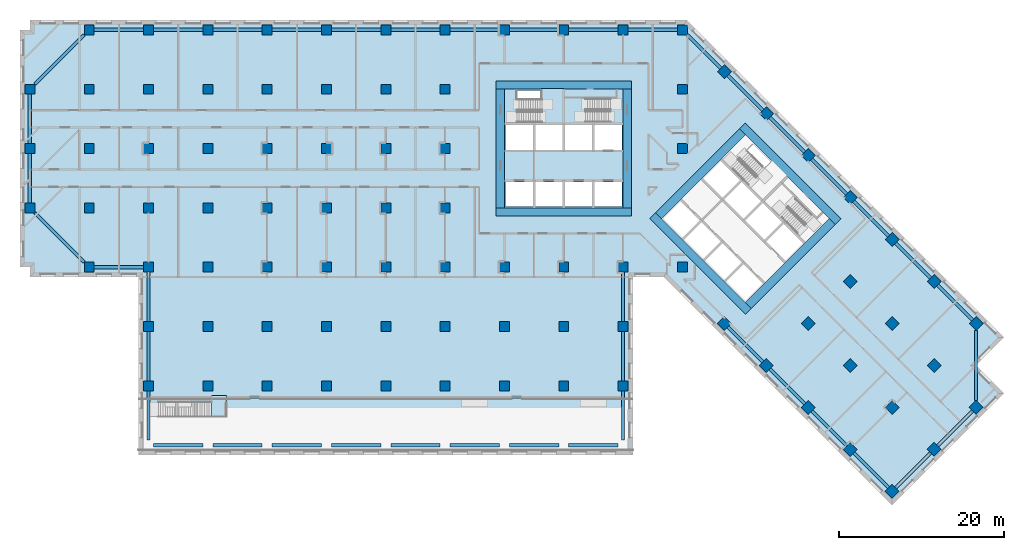
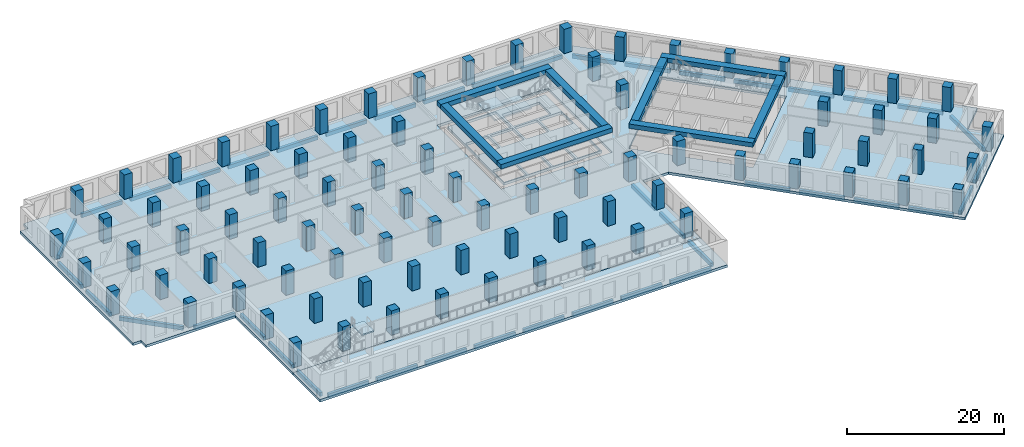
# One storey, part 1 of 14: 86 columns, 51 beams, 6 slabs, 12 openings, 3 elements without a shape of their own.
"""IFC4 building model written with IfcOpenShell, lengths in metres."""

from ifc_helpers import new_model, si_unit, direction, frame, origin, origin_2d, place, context, subcontext, project, spatial, polyline, rectangle, outline, extrude, material, layer, layer_set, material_profile, profile_set, type_object, element, aggregate, save


model = new_model("IFC4")

# Units and contexts
model_context = context("Model", 3, precision=1e-05, world=origin(), true_north=direction((0.0, 1.0)))
body_context = subcontext(model_context, "Body", "Model", "MODEL_VIEW")
ifc_project = project(units=[si_unit("LENGTHUNIT", "METRE"), si_unit("AREAUNIT", "SQUARE_METRE"), si_unit("VOLUMEUNIT", "CUBIC_METRE"), si_unit("PLANEANGLEUNIT", "RADIAN"), si_unit("MASSUNIT", "GRAM", prefix="KILO")], contexts=[model_context])

# Site, building, storey
site_placement = place(None, origin())
site = spatial("IfcSite", under=ifc_project, at=site_placement, CompositionType="ELEMENT")
building_placement = place(site_placement, origin())
building = spatial("IfcBuilding", under=site, at=building_placement, Name="Windrow Commons", CompositionType="ELEMENT")
storey_placement = place(building_placement, frame((0.0, 0.0, 10.2)))
storey = spatial("IfcBuildingStorey", under=building, at=storey_placement, Name="L02", CompositionType="ELEMENT", Elevation=10.2)

# Columns
ifc_material_1 = material(Name="Concrete C60/75", Category="concrete")
ifc_material_profile_1 = material_profile(ifc_material_1, rectangle(XDim=1.2, YDim=1.2, at=origin_2d()))
ifc_profile_set_1 = profile_set([ifc_material_profile_1], Name="Concrete C60/75")
column_type = type_object("IfcColumnType", Name="RC COLUMN 1200x1200 C60/75", PredefinedType="COLUMN", material=ifc_profile_set_1)
for number, where, z_axis, x_axis, name in (
    (1, (0.0, 50.4, 0.0), (0.0, 0.0, 1.0), (1.0, 0.0, 0.0), "C-P-01G"),
    (2, (0.0, 57.6, 0.0), (0.0, 0.0, 1.0), (1.0, 0.0, 0.0), "C-P-01H"),
    (3, (0.0, 64.8, 0.0), (0.0, 0.0, 1.0), (1.0, 0.0, 0.0), "C-P-01I"),
    (4, (7.2, 43.2, 0.0), (0.0, 0.0, 1.0), (1.0, 0.0, 0.0), "C-P-02F"),
    (5, (7.2, 50.4, 0.0), (0.0, 0.0, 1.0), (1.0, 0.0, 0.0), "C-P-02G"),
    (6, (7.2, 57.6, 0.0), (0.0, 0.0, 1.0), (1.0, 0.0, 0.0), "C-P-02H"),
    (7, (7.2, 64.8, 0.0), (0.0, 0.0, 1.0), (1.0, 0.0, 0.0), "C-P-02I"),
    (8, (7.2, 72.0, 0.0), (0.0, 0.0, 1.0), (1.0, 0.0, 0.0), "C-P-02J"),
    (9, (14.4, 28.8, 0.0), (0.0, 0.0, 1.0), (1.0, 0.0, 0.0), "C-P-03D"),
    (10, (14.4, 36.0, 0.0), (0.0, 0.0, 1.0), (1.0, 0.0, 0.0), "C-P-03E"),
    (11, (14.4, 43.2, 0.0), (0.0, 0.0, 1.0), (1.0, 0.0, 0.0), "C-P-03F"),
    (12, (14.4, 50.4, 0.0), (0.0, 0.0, 1.0), (1.0, 0.0, 0.0), "C-P-03G"),
    (13, (14.4, 57.6, 0.0), (0.0, 0.0, 1.0), (1.0, 0.0, 0.0), "C-P-03H"),
    (14, (14.4, 64.8, 0.0), (0.0, 0.0, 1.0), (1.0, 0.0, 0.0), "C-P-03I"),
    (15, (14.4, 72.0, 0.0), (0.0, 0.0, 1.0), (1.0, 0.0, 0.0), "C-P-03J"),
    (16, (21.6, 28.8, 0.0), (0.0, 0.0, 1.0), (1.0, 0.0, 0.0), "C-P-04D"),
    (17, (21.6, 36.0, 0.0), (0.0, 0.0, 1.0), (1.0, 0.0, 0.0), "C-P-04E"),
    (18, (21.6, 43.2, 0.0), (0.0, 0.0, 1.0), (1.0, 0.0, 0.0), "C-P-04F"),
    (19, (21.6, 50.4, 0.0), (0.0, 0.0, 1.0), (1.0, 0.0, 0.0), "C-P-04G"),
    (20, (21.6, 57.6, 0.0), (0.0, 0.0, 1.0), (1.0, 0.0, 0.0), "C-P-04H"),
    (21, (21.6, 64.8, 0.0), (0.0, 0.0, 1.0), (1.0, 0.0, 0.0), "C-P-04I"),
    (22, (21.6, 72.0, 0.0), (0.0, 0.0, 1.0), (1.0, 0.0, 0.0), "C-P-04J"),
    (23, (28.8, 28.8, 0.0), (0.0, 0.0, 1.0), (1.0, 0.0, 0.0), "C-P-05D"),
    (24, (28.8, 36.0, 0.0), (0.0, 0.0, 1.0), (1.0, 0.0, 0.0), "C-P-05E"),
    (25, (28.8, 43.2, 0.0), (0.0, 0.0, 1.0), (1.0, 0.0, 0.0), "C-P-05F"),
    (26, (28.8, 50.4, 0.0), (0.0, 0.0, 1.0), (1.0, 0.0, 0.0), "C-P-05G"),
    (27, (28.8, 57.6, 0.0), (0.0, 0.0, 1.0), (1.0, 0.0, 0.0), "C-P-05H"),
    (28, (28.8, 64.8, 0.0), (0.0, 0.0, 1.0), (1.0, 0.0, 0.0), "C-P-05I"),
    (29, (28.8, 72.0, 0.0), (0.0, 0.0, 1.0), (1.0, 0.0, 0.0), "C-P-05J"),
    (30, (36.0, 28.8, 0.0), (0.0, 0.0, 1.0), (1.0, 0.0, 0.0), "C-P-06D"),
    (31, (36.0, 36.0, 0.0), (0.0, 0.0, 1.0), (1.0, 0.0, 0.0), "C-P-06E"),
    (32, (36.0, 43.2, 0.0), (0.0, 0.0, 1.0), (1.0, 0.0, 0.0), "C-P-06F"),
    (33, (36.0, 50.4, 0.0), (0.0, 0.0, 1.0), (1.0, 0.0, 0.0), "C-P-06G"),
    (34, (36.0, 57.6, 0.0), (0.0, 0.0, 1.0), (1.0, 0.0, 0.0), "C-P-06H"),
    (35, (36.0, 64.8, 0.0), (0.0, 0.0, 1.0), (1.0, 0.0, 0.0), "C-P-06I"),
    (36, (36.0, 72.0, 0.0), (0.0, 0.0, 1.0), (1.0, 0.0, 0.0), "C-P-06J"),
    (37, (43.2, 28.8, 0.0), (0.0, 0.0, 1.0), (1.0, 0.0, 0.0), "C-P-07D"),
    (38, (43.2, 36.0, 0.0), (0.0, 0.0, 1.0), (1.0, 0.0, 0.0), "C-P-07E"),
    (39, (43.2, 43.2, 0.0), (0.0, 0.0, 1.0), (1.0, 0.0, 0.0), "C-P-07F"),
    (40, (43.2, 50.4, 0.0), (0.0, 0.0, 1.0), (1.0, 0.0, 0.0), "C-P-07G"),
    (41, (43.2, 57.6, 0.0), (0.0, 0.0, 1.0), (1.0, 0.0, 0.0), "C-P-07H"),
    (42, (43.2, 64.8, 0.0), (0.0, 0.0, 1.0), (1.0, 0.0, 0.0), "C-P-07I"),
    (43, (43.2, 72.0, 0.0), (0.0, 0.0, 1.0), (1.0, 0.0, 0.0), "C-P-07J"),
    (44, (50.4, 28.8, 0.0), (0.0, 0.0, 1.0), (1.0, 0.0, 0.0), "C-P-08D"),
    (45, (50.4, 36.0, 0.0), (0.0, 0.0, 1.0), (1.0, 0.0, 0.0), "C-P-08E"),
    (46, (50.4, 43.2, 0.0), (0.0, 0.0, 1.0), (1.0, 0.0, 0.0), "C-P-08F"),
    (47, (50.4, 50.4, 0.0), (0.0, 0.0, 1.0), (1.0, 0.0, 0.0), "C-P-08G"),
    (48, (50.4, 57.6, 0.0), (0.0, 0.0, 1.0), (1.0, 0.0, 0.0), "C-P-08H"),
    (49, (50.4, 64.8, 0.0), (0.0, 0.0, 1.0), (1.0, 0.0, 0.0), "C-P-08I"),
    (50, (50.4, 72.0, 0.0), (0.0, 0.0, 1.0), (1.0, 0.0, 0.0), "C-P-08J"),
    (51, (57.6, 28.8, 0.0), (0.0, 0.0, 1.0), (1.0, 0.0, 0.0), "C-P-09D"),
    (52, (57.6, 36.0, 0.0), (0.0, 0.0, 1.0), (1.0, 0.0, 0.0), "C-P-09E"),
    (53, (57.6, 43.2, 0.0), (0.0, 0.0, 1.0), (1.0, 0.0, 0.0), "C-P-09F"),
    (54, (57.6, 72.0, 0.0), (0.0, 0.0, 1.0), (1.0, 0.0, 0.0), "C-P-09J"),
    (55, (64.8, 28.8, 0.0), (0.0, 0.0, 1.0), (1.0, 0.0, 0.0), "C-P-10D"),
    (56, (64.8, 36.0, 0.0), (0.0, 0.0, 1.0), (1.0, 0.0, 0.0), "C-P-10E"),
    (57, (64.8, 43.2, 0.0), (0.0, 0.0, 1.0), (1.0, 0.0, 0.0), "C-P-10F"),
    (58, (64.8, 72.0, 0.0), (0.0, 0.0, 1.0), (1.0, 0.0, 0.0), "C-P-10J"),
    (59, (72.0, 28.8, 0.0), (0.0, 0.0, 1.0), (1.0, 0.0, 0.0), "C-P-11D"),
    (60, (72.0, 36.0, 0.0), (0.0, 0.0, 1.0), (1.0, 0.0, 0.0), "C-P-11E"),
    (61, (72.0, 43.2, 0.0), (0.0, 0.0, 1.0), (1.0, 0.0, 0.0), "C-P-11F"),
    (62, (72.0, 72.0, 0.0), (0.0, 0.0, 1.0), (1.0, 0.0, 0.0), "C-P-11J"),
    (63, (79.2, 43.2, 0.0), (0.0, 0.0, 1.0), (1.0, 0.0, 0.0), "C-P-12F"),
    (64, (79.2, 57.6, 0.0), (0.0, 0.0, 1.0), (1.0, 0.0, 0.0), "C-P-12H"),
    (65, (79.2, 64.8, 0.0), (0.0, 0.0, 1.0), (1.0, 0.0, 0.0), "C-P-12I"),
    (66, (79.2, 72.0, 0.0), (0.0, 0.0, 1.0), (1.0, 0.0, 0.0), "C-P-12J"),
    (67, (84.2912, 66.9088, 0.0), (0.0, 0.0, 1.0), (0.7071067812, -0.7071067812, 0.0), "C-P-P2Q"),
    (68, (89.3823, 61.8177, 0.0), (0.0, 0.0, 1.0), (0.7071067812, -0.7071067812, 0.0), "C-P-P3Q"),
    (69, (94.4735, 56.7265, 0.0), (0.0, 0.0, 1.0), (0.7071067812, -0.7071067812, 0.0), "C-P-P4Q"),
    (70, (99.5647, 51.6353, 0.0), (0.0, 0.0, 1.0), (0.7071067812, -0.7071067812, 0.0), "C-P-P5Q"),
    (71, (84.2912, 36.3618, 0.0), (0.0, 0.0, 1.0), (0.7071067812, -0.7071067812, 0.0), "C-P-P5T"),
    (72, (104.6558, 46.5442, 0.0), (0.0, 0.0, 1.0), (0.7071067812, -0.7071067812, 0.0), "C-P-P6Q"),
    (73, (99.5647, 41.453, 0.0), (0.0, 0.0, 1.0), (0.7071067812, -0.7071067812, 0.0), "C-P-P6R"),
    (74, (94.4735, 36.3618, 0.0), (0.0, 0.0, 1.0), (0.7071067812, -0.7071067812, 0.0), "C-P-P6S"),
    (75, (89.3823, 31.2706, 0.0), (0.0, 0.0, 1.0), (0.7071067812, -0.7071067812, 0.0), "C-P-P6T"),
    (76, (109.747, 41.453, 0.0), (0.0, 0.0, 1.0), (0.7071067812, -0.7071067812, 0.0), "C-P-P7Q"),
    (77, (104.6558, 36.3618, 0.0), (0.0, 0.0, 1.0), (0.7071067812, -0.7071067812, 0.0), "C-P-P7R"),
    (78, (99.5647, 31.2706, 0.0), (0.0, 0.0, 1.0), (0.7071067812, -0.7071067812, 0.0), "C-P-P7S"),
    (79, (94.4735, 26.1795, 0.0), (0.0, 0.0, 1.0), (0.7071067812, -0.7071067812, 0.0), "C-P-P7T"),
    (80, (114.8382, 36.3618, 0.0), (0.0, 0.0, 1.0), (0.7071067812, -0.7071067812, 0.0), "C-P-P8Q"),
    (81, (109.747, 31.2706, 0.0), (0.0, 0.0, 1.0), (0.7071067812, -0.7071067812, 0.0), "C-P-P8R"),
    (82, (104.6558, 26.1795, 0.0), (0.0, 0.0, 1.0), (0.7071067812, -0.7071067812, 0.0), "C-P-P8S"),
    (83, (99.5647, 21.0883, 0.0), (0.0, 0.0, 1.0), (0.7071067812, -0.7071067812, 0.0), "C-P-P8T"),
    (84, (114.8382, 26.1795, 0.0), (0.0, 0.0, 1.0), (0.7071067812, -0.7071067812, 0.0), "C-P-P9R"),
    (85, (109.747, 21.0883, 0.0), (0.0, 0.0, 1.0), (0.7071067812, -0.7071067812, 0.0), "C-P-P9S"),
    (86, (104.6558, 15.9971, 0.0), (0.0, 0.0, 1.0), (0.7071067812, -0.7071067812, 0.0), "C-P-P9T"),
):
    element("IfcColumn", number, at=place(storey_placement, frame(where, z_axis=z_axis, x_axis=x_axis)), inside=storey, type_object=column_type, Name=name, PredefinedType="COLUMN", context=body_context, shape_type="SweptSolid", body=[
        extrude(rectangle(XDim=1.2, YDim=1.2, at=origin_2d()), origin(), (0.0, 0.0, 1.0), 3.8),
    ])

# Beams
ifc_material_2 = material(Name="Concrete C60/75", Category="concrete")
ifc_material_profile_2 = material_profile(ifc_material_2, rectangle(XDim=1.0, YDim=0.7, at=origin_2d()))
ifc_profile_set_2 = profile_set([ifc_material_profile_2], Name="Concrete C60/75")
beam_type_1 = type_object("IfcBeamType", Name="RC COUPLING BEAM 1000x700 C60/75", PredefinedType="LINTEL", material=ifc_profile_set_2)
for number, where, z_axis, x_axis, name in (
    (87, (56.6, 49.9, 3.45), (1.0, 0.0, 0.0), (0.0, 1.0, 0.0), "Core A coupling beam outer-S"),
    (88, (56.6, 65.3, 3.45), (1.0, 0.0, 0.0), (0.0, 1.0, 0.0), "Core A coupling beam outer-N"),
):
    element("IfcBeam", number, at=place(storey_placement, frame(where, z_axis=z_axis, x_axis=x_axis)), inside=storey, type_object=beam_type_1, Name=name, PredefinedType="LINTEL", context=body_context, shape_type="SweptSolid", body=[
        extrude(rectangle(XDim=1.0, YDim=0.7, at=origin_2d()), origin(), (0.0, 0.0, 1.0), 16.4),
    ])
for number, where, z_axis, x_axis, name in (
    (89, (57.1, 50.4, 3.45), (0.0, 1.0, 0.0), (-1.0, 0.0, 0.0), "Core A coupling beam outer-W"),
    (90, (72.5, 50.4, 3.45), (0.0, 1.0, 0.0), (-1.0, 0.0, 0.0), "Core A coupling beam outer-E"),
):
    element("IfcBeam", number, at=place(storey_placement, frame(where, z_axis=z_axis, x_axis=x_axis)), inside=storey, type_object=beam_type_1, Name=name, PredefinedType="LINTEL", context=body_context, shape_type="SweptSolid", body=[
        extrude(rectangle(XDim=1.0, YDim=0.7, at=origin_2d()), origin(), (0.0, 0.0, 1.0), 14.4),
    ])
for number, where, z_axis, x_axis, name in (
    (91, (75.5938, 49.4433, 3.45), (0.7071037324, -0.70710983, 0.0), (0.70710983, 0.7071037324, 0.0), "Core B coupling beam outer-S"),
    (92, (86.4832, 60.3327, 3.45), (0.70710983, -0.7071037324, 0.0), (0.7071037324, 0.70710983, 0.0), "Core B coupling beam outer-N"),
):
    element("IfcBeam", number, at=place(storey_placement, frame(where, z_axis=z_axis, x_axis=x_axis)), inside=storey, type_object=beam_type_1, Name=name, PredefinedType="LINTEL", context=body_context, shape_type="SweptSolid", body=[
        extrude(rectangle(XDim=1.0, YDim=0.7, at=origin_2d()), origin(), (0.0, 0.0, 1.0), 16.4),
    ])
beam_1_placement = place(storey_placement, frame((76.3009, 49.4433, 3.45), z_axis=(0.7071067812, 0.7071067812, 0.0), x_axis=(-0.7071067812, 0.7071067812, 0.0)))
element("IfcBeam", 93, at=beam_1_placement, inside=storey, type_object=beam_type_1, Name="Core B coupling beam outer-W", PredefinedType="LINTEL", context=body_context, shape_type="SweptSolid", body=[
    extrude(rectangle(XDim=1.0, YDim=0.7, at=origin_2d()), origin(), (0.0, 0.0, 1.0), 14.3999),
])
beam_2_placement = place(storey_placement, frame((87.1903, 38.5538, 3.45), z_axis=(0.707103309, 0.7071102534, 0.0), x_axis=(-0.7071102534, 0.707103309, 0.0)))
element("IfcBeam", 94, at=beam_2_placement, inside=storey, type_object=beam_type_1, Name="Core B coupling beam outer-E", PredefinedType="LINTEL", context=body_context, shape_type="SweptSolid", body=[
    extrude(rectangle(XDim=1.0, YDim=0.7, at=origin_2d()), origin(), (0.0, 0.0, 1.0), 14.4),
])
ifc_material_3 = material(Name="Concrete C60/75", Category="concrete")
ifc_material_profile_3 = material_profile(ifc_material_3, rectangle(XDim=0.4, YDim=0.6, at=origin_2d()))
ifc_profile_set_3 = profile_set([ifc_material_profile_3], Name="Concrete C60/75")
beam_type_2 = type_object("IfcBeamType", Name="RC EDGE BEAM 400x600 C60/75", PredefinedType="SPANDREL", material=ifc_profile_set_3)
for number, where, z_axis, x_axis, name in (
    (95, (0.0, 51.0, -0.7), (0.0, 1.0, 0.0), (-1.0, 0.0, 0.0), "Edge beam L02 001"),
    (96, (0.0, 58.2, -0.7), (0.0, 1.0, 0.0), (-1.0, 0.0, 0.0), "Edge beam L02 002"),
):
    element("IfcBeam", number, at=place(storey_placement, frame(where, z_axis=z_axis, x_axis=x_axis)), inside=storey, type_object=beam_type_2, Name=name, PredefinedType="SPANDREL", context=body_context, shape_type="SweptSolid", body=[
        extrude(rectangle(XDim=0.4, YDim=0.6, at=origin_2d()), origin(), (0.0, 0.0, 1.0), 6.0),
    ])
beam_3_placement = place(storey_placement, frame((0.6, 65.4, -0.7), z_axis=(0.7071067812, 0.7071067812, 0.0), x_axis=(-0.7071067812, 0.7071067812, 0.0)))
element("IfcBeam", 97, at=beam_3_placement, inside=storey, type_object=beam_type_2, Name="Edge beam L02 003", PredefinedType="SPANDREL", context=body_context, shape_type="SweptSolid", body=[
    extrude(rectangle(XDim=0.4, YDim=0.6, at=origin_2d()), origin(), (0.0, 0.0, 1.0), 8.4853),
])
for number, where, z_axis, x_axis, name in (
    (98, (7.8, 72.0, -0.7), (1.0, 0.0, 0.0), (0.0, 1.0, 0.0), "Edge beam L02 004"),
    (99, (15.0, 72.0, -0.7), (1.0, 0.0, 0.0), (0.0, 1.0, 0.0), "Edge beam L02 005"),
    (100, (22.2, 72.0, -0.7), (1.0, 0.0, 0.0), (0.0, 1.0, 0.0), "Edge beam L02 006"),
    (101, (29.4, 72.0, -0.7), (1.0, 0.0, 0.0), (0.0, 1.0, 0.0), "Edge beam L02 007"),
    (102, (36.6, 72.0, -0.7), (1.0, 0.0, 0.0), (0.0, 1.0, 0.0), "Edge beam L02 008"),
    (103, (43.8, 72.0, -0.7), (1.0, 0.0, 0.0), (0.0, 1.0, 0.0), "Edge beam L02 009"),
    (104, (51.0, 72.0, -0.7), (1.0, 0.0, 0.0), (0.0, 1.0, 0.0), "Edge beam L02 010"),
    (105, (58.2, 72.0, -0.7), (1.0, 0.0, 0.0), (0.0, 1.0, 0.0), "Edge beam L02 011"),
    (106, (65.4, 72.0, -0.7), (1.0, 0.0, 0.0), (0.0, 1.0, 0.0), "Edge beam L02 012"),
    (107, (72.6, 72.0, -0.7), (1.0, 0.0, 0.0), (0.0, 1.0, 0.0), "Edge beam L02 013"),
):
    element("IfcBeam", number, at=place(storey_placement, frame(where, z_axis=z_axis, x_axis=x_axis)), inside=storey, type_object=beam_type_2, Name=name, PredefinedType="SPANDREL", context=body_context, shape_type="SweptSolid", body=[
        extrude(rectangle(XDim=0.4, YDim=0.6, at=origin_2d()), origin(), (0.0, 0.0, 1.0), 6.0),
    ])
beam_4_placement = place(storey_placement, frame((79.8, 71.4, -0.7), z_axis=(0.7071067812, -0.7071067812, 0.0), x_axis=(0.7071067812, 0.7071067812, 0.0)))
element("IfcBeam", 108, at=beam_4_placement, inside=storey, type_object=beam_type_2, Name="Edge beam L02 014", PredefinedType="SPANDREL", context=body_context, shape_type="SweptSolid", body=[
    extrude(rectangle(XDim=0.4, YDim=0.6, at=origin_2d()), origin(), (0.0, 0.0, 1.0), 5.7515),
])
beam_5_placement = place(storey_placement, frame((84.7155, 66.4845, -0.7), z_axis=(0.7071067812, -0.7071067812, 0.0), x_axis=(0.7071067812, 0.7071067812, 0.0)))
element("IfcBeam", 109, at=beam_5_placement, inside=storey, type_object=beam_type_2, Name="Edge beam L02 015", PredefinedType="SPANDREL", context=body_context, shape_type="SweptSolid", body=[
    extrude(rectangle(XDim=0.4, YDim=0.6, at=origin_2d()), origin(), (0.0, 0.0, 1.0), 5.9998),
])
for number, where, z_axis, x_axis, name in (
    (110, (89.8066, 61.3934, -0.7), (0.7071067812, -0.7071067812, 0.0), (0.7071067812, 0.7071067812, 0.0), "Edge beam L02 016"),
    (111, (94.8978, 56.3022, -0.7), (0.7071067812, -0.7071067812, 0.0), (0.7071067812, 0.7071067812, 0.0), "Edge beam L02 017"),
):
    element("IfcBeam", number, at=place(storey_placement, frame(where, z_axis=z_axis, x_axis=x_axis)), inside=storey, type_object=beam_type_2, Name=name, PredefinedType="SPANDREL", context=body_context, shape_type="SweptSolid", body=[
        extrude(rectangle(XDim=0.4, YDim=0.6, at=origin_2d()), origin(), (0.0, 0.0, 1.0), 5.9999),
    ])
beam_6_placement = place(storey_placement, frame((99.989, 51.211, -0.7), z_axis=(0.7071067812, -0.7071067812, 0.0), x_axis=(0.7071067812, 0.7071067812, 0.0)))
element("IfcBeam", 112, at=beam_6_placement, inside=storey, type_object=beam_type_2, Name="Edge beam L02 018", PredefinedType="SPANDREL", context=body_context, shape_type="SweptSolid", body=[
    extrude(rectangle(XDim=0.4, YDim=0.6, at=origin_2d()), origin(), (0.0, 0.0, 1.0), 5.9998),
])
for number, where, z_axis, x_axis, name in (
    (113, (105.0801, 46.1199, -0.7), (0.7071067812, -0.7071067812, 0.0), (0.7071067812, 0.7071067812, 0.0), "Edge beam L02 019"),
    (114, (110.1713, 41.0287, -0.7), (0.7071067812, -0.7071067812, 0.0), (0.7071067812, 0.7071067812, 0.0), "Edge beam L02 020"),
):
    element("IfcBeam", number, at=place(storey_placement, frame(where, z_axis=z_axis, x_axis=x_axis)), inside=storey, type_object=beam_type_2, Name=name, PredefinedType="SPANDREL", context=body_context, shape_type="SweptSolid", body=[
        extrude(rectangle(XDim=0.4, YDim=0.6, at=origin_2d()), origin(), (0.0, 0.0, 1.0), 5.9999),
    ])
beam_7_placement = place(storey_placement, frame((114.8382, 35.5133, -0.7), z_axis=(0.0, -1.0, 0.0), x_axis=(1.0, 0.0, 0.0)))
element("IfcBeam", 115, at=beam_7_placement, inside=storey, type_object=beam_type_2, Name="Edge beam L02 021", PredefinedType="SPANDREL", context=body_context, shape_type="SweptSolid", body=[
    extrude(rectangle(XDim=0.4, YDim=0.6, at=origin_2d()), origin(), (0.0, 0.0, 1.0), 8.4853),
])
for number, where, z_axis, x_axis, name in (
    (116, (114.4139, 25.7552, -0.7), (-0.7071067812, -0.7071067812, 0.0), (0.7071067812, -0.7071067812, 0.0), "Edge beam L02 022"),
    (117, (109.3227, 20.664, -0.7), (-0.7071067812, -0.7071067812, 0.0), (0.7071067812, -0.7071067812, 0.0), "Edge beam L02 023"),
    (118, (104.2315, 16.4214, -0.7), (-0.7070984476, 0.7071151146, 0.0), (-0.7071151146, -0.7070984476, 0.0), "Edge beam L02 024"),
    (119, (99.1404, 21.5126, -0.7), (-0.7071067812, 0.7071067812, 0.0), (-0.7071067812, -0.7071067812, 0.0), "Edge beam L02 025"),
    (120, (94.0492, 26.6038, -0.7), (-0.7071151146, 0.7070984476, 0.0), (-0.7070984476, -0.7071151146, 0.0), "Edge beam L02 026"),
    (121, (88.958, 31.6949, -0.7), (-0.7070984476, 0.7071151146, 0.0), (-0.7071151146, -0.7070984476, 0.0), "Edge beam L02 027"),
):
    element("IfcBeam", number, at=place(storey_placement, frame(where, z_axis=z_axis, x_axis=x_axis)), inside=storey, type_object=beam_type_2, Name=name, PredefinedType="SPANDREL", context=body_context, shape_type="SweptSolid", body=[
        extrude(rectangle(XDim=0.4, YDim=0.6, at=origin_2d()), origin(), (0.0, 0.0, 1.0), 5.9999),
    ])
for number, where, z_axis, x_axis, name in (
    (122, (72.0, 42.6, -0.7), (0.0, -1.0, 0.0), (1.0, 0.0, 0.0), "Edge beam L02 028"),
    (123, (72.0, 35.4, -0.7), (0.0, -1.0, 0.0), (1.0, 0.0, 0.0), "Edge beam L02 029"),
    (124, (72.0, 28.2, -0.7), (0.0, -1.0, 0.0), (1.0, 0.0, 0.0), "Edge beam L02 030"),
    (125, (71.4, 21.6, -0.7), (-1.0, 0.0, 0.0), (0.0, -1.0, 0.0), "Edge beam L02 031"),
    (126, (64.2, 21.6, -0.7), (-1.0, 0.0, 0.0), (0.0, -1.0, 0.0), "Edge beam L02 032"),
    (127, (57.0, 21.6, -0.7), (-1.0, 0.0, 0.0), (0.0, -1.0, 0.0), "Edge beam L02 033"),
    (128, (49.8, 21.6, -0.7), (-1.0, 0.0, 0.0), (0.0, -1.0, 0.0), "Edge beam L02 034"),
    (129, (42.6, 21.6, -0.7), (-1.0, 0.0, 0.0), (0.0, -1.0, 0.0), "Edge beam L02 035"),
    (130, (35.4, 21.6, -0.7), (-1.0, 0.0, 0.0), (0.0, -1.0, 0.0), "Edge beam L02 036"),
    (131, (28.2, 21.6, -0.7), (-1.0, 0.0, 0.0), (0.0, -1.0, 0.0), "Edge beam L02 037"),
    (132, (21.0, 21.6, -0.7), (-1.0, 0.0, 0.0), (0.0, -1.0, 0.0), "Edge beam L02 038"),
    (133, (14.4, 22.2, -0.7), (0.0, 1.0, 0.0), (-1.0, 0.0, 0.0), "Edge beam L02 039"),
    (134, (14.4, 29.4, -0.7), (0.0, 1.0, 0.0), (-1.0, 0.0, 0.0), "Edge beam L02 040"),
    (135, (14.4, 36.6, -0.7), (0.0, 1.0, 0.0), (-1.0, 0.0, 0.0), "Edge beam L02 041"),
    (136, (13.8, 43.2, -0.7), (-1.0, 0.0, 0.0), (0.0, -1.0, 0.0), "Edge beam L02 042"),
):
    element("IfcBeam", number, at=place(storey_placement, frame(where, z_axis=z_axis, x_axis=x_axis)), inside=storey, type_object=beam_type_2, Name=name, PredefinedType="SPANDREL", context=body_context, shape_type="SweptSolid", body=[
        extrude(rectangle(XDim=0.4, YDim=0.6, at=origin_2d()), origin(), (0.0, 0.0, 1.0), 6.0),
    ])
beam_8_placement = place(storey_placement, frame((6.6, 43.8, -0.7), z_axis=(-0.7071067812, 0.7071067812, 0.0), x_axis=(-0.7071067812, -0.7071067812, 0.0)))
element("IfcBeam", 137, at=beam_8_placement, inside=storey, type_object=beam_type_2, Name="Edge beam L02 043", PredefinedType="SPANDREL", context=body_context, shape_type="SweptSolid", body=[
    extrude(rectangle(XDim=0.4, YDim=0.6, at=origin_2d()), origin(), (0.0, 0.0, 1.0), 8.4853),
])

# Slab, openings
ifc_material_4 = material(Name="Concrete C60/75", Category="concrete")
ifc_layer_1 = layer(ifc_material_4, 0.4)
ifc_layer_set_1 = layer_set([ifc_layer_1], Name="CORE FLOOR SLAB 400 C60/75")
slab_type_1 = type_object("IfcSlabType", Name="CORE FLOOR SLAB 400 C60/75", PredefinedType="FLOOR", material=ifc_layer_set_1)
placement_1 = place(storey_placement, frame((0.0, 0.0, -0.4)))
slab_1 = element("IfcSlab", 138, at=placement_1, inside=storey, type_object=slab_type_1, Name="S-L02-core-A", PredefinedType="FLOOR", context=body_context, shape_type="SweptSolid", body=[
    extrude(outline(polyline([(57.6, 50.4), (72.0, 50.4), (72.0, 64.8), (57.6, 64.8), (57.6, 50.4)]), holes=[polyline([(57.75, 50.55), (61.05, 50.55), (61.05, 53.55), (57.75, 53.55), (57.75, 50.55)]), polyline([(61.35, 50.55), (64.65, 50.55), (64.65, 53.55), (61.35, 53.55), (61.35, 50.55)]), polyline([(64.95, 50.55), (68.25, 50.55), (68.25, 53.55), (64.95, 53.55), (64.95, 50.55)]), polyline([(68.55, 50.55), (71.85, 50.55), (71.85, 53.55), (68.55, 53.55), (68.55, 50.55)]), polyline([(57.75, 57.45), (61.05, 57.45), (61.05, 60.45), (57.75, 60.45), (57.75, 57.45)]), polyline([(61.35, 57.45), (64.65, 57.45), (64.65, 60.45), (61.35, 60.45), (61.35, 57.45)]), polyline([(64.95, 57.45), (68.25, 57.45), (68.25, 60.45), (64.95, 60.45), (64.95, 57.45)]), polyline([(68.55, 57.45), (71.85, 57.45), (71.85, 60.45), (68.55, 60.45), (68.55, 57.45)]), polyline([(59.1, 60.75), (64.65, 60.75), (64.65, 64.65), (59.1, 64.65), (59.1, 60.75)]), polyline([(64.95, 60.75), (70.5, 60.75), (70.5, 63.705), (64.95, 63.705), (64.95, 60.75)])]), origin(), (0.0, 0.0, 1.0), 0.4),
])
opening_1_placement = place(placement_1, origin())
element("IfcOpeningElement", 139, at=opening_1_placement, cuts=slab_1, Name="Slab opening S-L02-core-A 1", PredefinedType="OPENING", context=body_context, shape_type="SweptSolid", body=[
    extrude(outline(polyline([(57.755, 50.555), (57.755, 53.545), (61.045, 53.545), (61.045, 50.555), (57.755, 50.555)])), origin(), (0.0, 0.0, 1.0), 0.4),
])
opening_2_placement = place(placement_1, origin())
element("IfcOpeningElement", 140, at=opening_2_placement, cuts=slab_1, Name="Slab opening S-L02-core-A 2", PredefinedType="OPENING", context=body_context, shape_type="SweptSolid", body=[
    extrude(outline(polyline([(61.355, 50.555), (61.355, 53.545), (64.645, 53.545), (64.645, 50.555), (61.355, 50.555)])), origin(), (0.0, 0.0, 1.0), 0.4),
])
opening_3_placement = place(placement_1, origin())
element("IfcOpeningElement", 141, at=opening_3_placement, cuts=slab_1, Name="Slab opening S-L02-core-A 3", PredefinedType="OPENING", context=body_context, shape_type="SweptSolid", body=[
    extrude(outline(polyline([(64.955, 50.555), (64.955, 53.545), (68.245, 53.545), (68.245, 50.555), (64.955, 50.555)])), origin(), (0.0, 0.0, 1.0), 0.4),
])
opening_4_placement = place(placement_1, origin())
element("IfcOpeningElement", 142, at=opening_4_placement, cuts=slab_1, Name="Slab opening S-L02-core-A 4", PredefinedType="OPENING", context=body_context, shape_type="SweptSolid", body=[
    extrude(outline(polyline([(68.555, 50.555), (68.555, 53.545), (71.845, 53.545), (71.845, 50.555), (68.555, 50.555)])), origin(), (0.0, 0.0, 1.0), 0.4),
])
opening_5_placement = place(placement_1, origin())
element("IfcOpeningElement", 143, at=opening_5_placement, cuts=slab_1, Name="Slab opening S-L02-core-A 5", PredefinedType="OPENING", context=body_context, shape_type="SweptSolid", body=[
    extrude(outline(polyline([(57.755, 57.455), (57.755, 60.445), (61.045, 60.445), (61.045, 57.455), (57.755, 57.455)])), origin(), (0.0, 0.0, 1.0), 0.4),
])
opening_6_placement = place(placement_1, origin())
element("IfcOpeningElement", 144, at=opening_6_placement, cuts=slab_1, Name="Slab opening S-L02-core-A 6", PredefinedType="OPENING", context=body_context, shape_type="SweptSolid", body=[
    extrude(outline(polyline([(61.355, 57.455), (61.355, 60.445), (64.645, 60.445), (64.645, 57.455), (61.355, 57.455)])), origin(), (0.0, 0.0, 1.0), 0.4),
])
opening_7_placement = place(placement_1, origin())
element("IfcOpeningElement", 145, at=opening_7_placement, cuts=slab_1, Name="Slab opening S-L02-core-A 7", PredefinedType="OPENING", context=body_context, shape_type="SweptSolid", body=[
    extrude(outline(polyline([(64.955, 57.455), (64.955, 60.445), (68.245, 60.445), (68.245, 57.455), (64.955, 57.455)])), origin(), (0.0, 0.0, 1.0), 0.4),
])
opening_8_placement = place(placement_1, origin())
element("IfcOpeningElement", 146, at=opening_8_placement, cuts=slab_1, Name="Slab opening S-L02-core-A 8", PredefinedType="OPENING", context=body_context, shape_type="SweptSolid", body=[
    extrude(outline(polyline([(68.555, 57.455), (68.555, 60.445), (71.845, 60.445), (71.845, 57.455), (68.555, 57.455)])), origin(), (0.0, 0.0, 1.0), 0.4),
])
opening_9_placement = place(placement_1, origin())
element("IfcOpeningElement", 147, at=opening_9_placement, cuts=slab_1, Name="Slab opening S-L02-core-A 9", PredefinedType="OPENING", context=body_context, shape_type="SweptSolid", body=[
    extrude(outline(polyline([(59.105, 60.755), (59.105, 64.645), (64.645, 64.645), (64.645, 60.755), (59.105, 60.755)])), origin(), (0.0, 0.0, 1.0), 0.4),
])
opening_10_placement = place(placement_1, origin())
element("IfcOpeningElement", 148, at=opening_10_placement, cuts=slab_1, Name="Slab opening S-L02-core-A 10", PredefinedType="OPENING", context=body_context, shape_type="SweptSolid", body=[
    extrude(outline(polyline([(64.955, 60.755), (64.955, 63.7), (70.495, 63.7), (70.495, 60.755), (64.955, 60.755)])), origin(), (0.0, 0.0, 1.0), 0.4),
])

# Stair, slab
ifc_material_5 = material(Name="Concrete C40/50", Category="concrete")
stair_type_1 = type_object("IfcStairType", Name="Core stair", PredefinedType="HALF_TURN_STAIR", material=ifc_material_5)
placement_2 = place(storey_placement, origin())
stair_1 = element("IfcStair", 149, at=placement_2, inside=storey, type_object=stair_type_1, Name="L02 Exit stair A1 core A", PredefinedType="HALF_TURN_STAIR")
ifc_material_6 = material(Name="Concrete C40/50", Category="concrete")
ifc_layer_2 = layer(ifc_material_6, 0.2)
ifc_layer_set_2 = layer_set([ifc_layer_2], Name="Core stair landing")
slab_type_2 = type_object("IfcSlabType", Name="Core stair landing", PredefinedType="LANDING", material=ifc_layer_set_2)
placement_3 = place(storey_placement, frame((0.0, 0.0, 1.9)))
slab_2 = element("IfcSlab", 150, at=placement_3, type_object=slab_type_2, Name="ST-A1 landing 1", PredefinedType="LANDING", context=body_context, shape_type="SweptSolid", body=[
    extrude(outline(polyline([(62.06, 60.5), (64.8, 60.5), (64.8, 64.9), (62.06, 64.9), (62.06, 60.5)])), origin(), (0.0, 0.0, 1.0), 0.2),
])
aggregate(stair_1, [slab_2])

stair_2 = element("IfcStair", 151, at=placement_2, inside=storey, type_object=stair_type_1, Name="L02 Exit stair A2 core A", PredefinedType="HALF_TURN_STAIR")
slab_3 = element("IfcSlab", 152, at=placement_3, type_object=slab_type_2, Name="ST-A2 landing 1", PredefinedType="LANDING", context=body_context, shape_type="SweptSolid", body=[
    extrude(outline(polyline([(64.8, 60.5), (67.54, 60.5), (67.54, 63.855), (64.8, 63.855), (64.8, 60.5)])), origin(), (0.0, 0.0, 1.0), 0.2),
])
aggregate(stair_2, [slab_3])

# Slab, openings
ifc_material_7 = material(Name="Concrete C60/75", Category="concrete")
ifc_layer_3 = layer(ifc_material_7, 0.4)
ifc_layer_set_3 = layer_set([ifc_layer_3], Name="FLOOR SLAB 400 C60/75")
slab_type_3 = type_object("IfcSlabType", Name="FLOOR SLAB 400 C60/75", PredefinedType="FLOOR", material=ifc_layer_set_3)
slab_4 = element("IfcSlab", 153, at=placement_1, inside=storey, type_object=slab_type_3, Name="S-L02-floor", PredefinedType="FLOOR", context=body_context, shape_type="SweptSolid", body=[
    extrude(outline(polyline([(73.2, 42.0), (76.9559, 42.0), (104.6558, 14.3001), (118.2323, 27.8765), (114.8382, 31.2706), (118.2323, 34.6648), (79.6971, 73.2), (0.0, 73.2), (0.0, 72.0), (-1.2, 72.0), (-1.2, 43.2), (0.0, 43.2), (0.0, 42.0), (13.2, 42.0), (13.2, 27.3), (73.2, 27.3), (73.2, 42.0)]), holes=[polyline([(75.2402, 49.0897), (86.8368, 60.6863), (98.4333, 49.0897), (86.8368, 37.4932), (75.2402, 49.0897)]), polyline([(56.6, 49.4), (56.6, 65.8), (73.0, 65.8), (73.0, 49.4), (56.6, 49.4)])]), origin(), (0.0, 0.0, 1.0), 0.4),
])
opening_11_placement = place(placement_1, origin())
element("IfcOpeningElement", 154, at=opening_11_placement, cuts=slab_4, Name="Slab opening S-L02-floor 1", PredefinedType="OPENING", context=body_context, shape_type="SweptSolid", body=[
    extrude(outline(polyline([(75.2473, 49.0897), (86.8368, 60.6792), (98.4262, 49.0897), (86.8368, 37.5003), (75.2473, 49.0897)])), origin(), (0.0, 0.0, 1.0), 0.4),
])
opening_12_placement = place(placement_1, origin())
element("IfcOpeningElement", 155, at=opening_12_placement, cuts=slab_4, Name="Slab opening S-L02-floor 2", PredefinedType="OPENING", context=body_context, shape_type="SweptSolid", body=[
    extrude(outline(polyline([(56.605, 49.405), (56.605, 65.795), (72.995, 65.795), (72.995, 49.405), (56.605, 49.405)])), origin(), (0.0, 0.0, 1.0), 0.4),
])

# Slab
ifc_material_8 = material(Name="Concrete C60/75", Category="concrete")
ifc_layer_4 = layer(ifc_material_8, 0.4)
ifc_layer_set_4 = layer_set([ifc_layer_4], Name="TERRACE SLAB 400 C60/75")
slab_type_4 = type_object("IfcSlabType", Name="TERRACE SLAB 400 C60/75", PredefinedType="FLOOR", material=ifc_layer_set_4)
element("IfcSlab", 156, at=placement_1, inside=storey, type_object=slab_type_4, Name="Terrace slab TR-L02-1", PredefinedType="FLOOR", context=body_context, shape_type="SweptSolid", body=[
    extrude(outline(polyline([(13.2, 20.4), (73.2, 20.4), (73.2, 27.3), (13.2, 27.3), (13.2, 20.4)])), origin(), (0.0, 0.0, 1.0), 0.4),
])

# Stair, slab
ifc_material_9 = material(Name="Concrete C40/50", Category="concrete")
stair_type_2 = type_object("IfcStairType", Name="Terrace public stair", PredefinedType="STRAIGHT_RUN_STAIR", material=ifc_material_9)
stair_3 = element("IfcStair", 157, at=placement_2, inside=storey, type_object=stair_type_2, Name="Public stair L02 to L03", PredefinedType="STRAIGHT_RUN_STAIR")
ifc_material_10 = material(Name="Concrete C40/50", Category="concrete")
ifc_layer_5 = layer(ifc_material_10, 0.2)
ifc_layer_set_5 = layer_set([ifc_layer_5], Name="Terrace public stair landing")
slab_type_5 = type_object("IfcSlabType", Name="Terrace public stair landing", PredefinedType="LANDING", material=ifc_layer_set_5)
slab_6_placement = place(storey_placement, frame((0.0, 0.0, 4.0)))
slab_6 = element("IfcSlab", 158, at=slab_6_placement, type_object=slab_type_5, Name="TST landing 1", PredefinedType="LANDING", context=body_context, shape_type="SweptSolid", body=[
    extrude(outline(polyline([(22.04, 27.6), (23.84, 27.6), (23.84, 25.05), (22.04, 25.05), (22.04, 27.6)])), origin(), (0.0, 0.0, 1.0), 0.2),
])
aggregate(stair_3, [slab_6])

save(model, "model.ifc")
